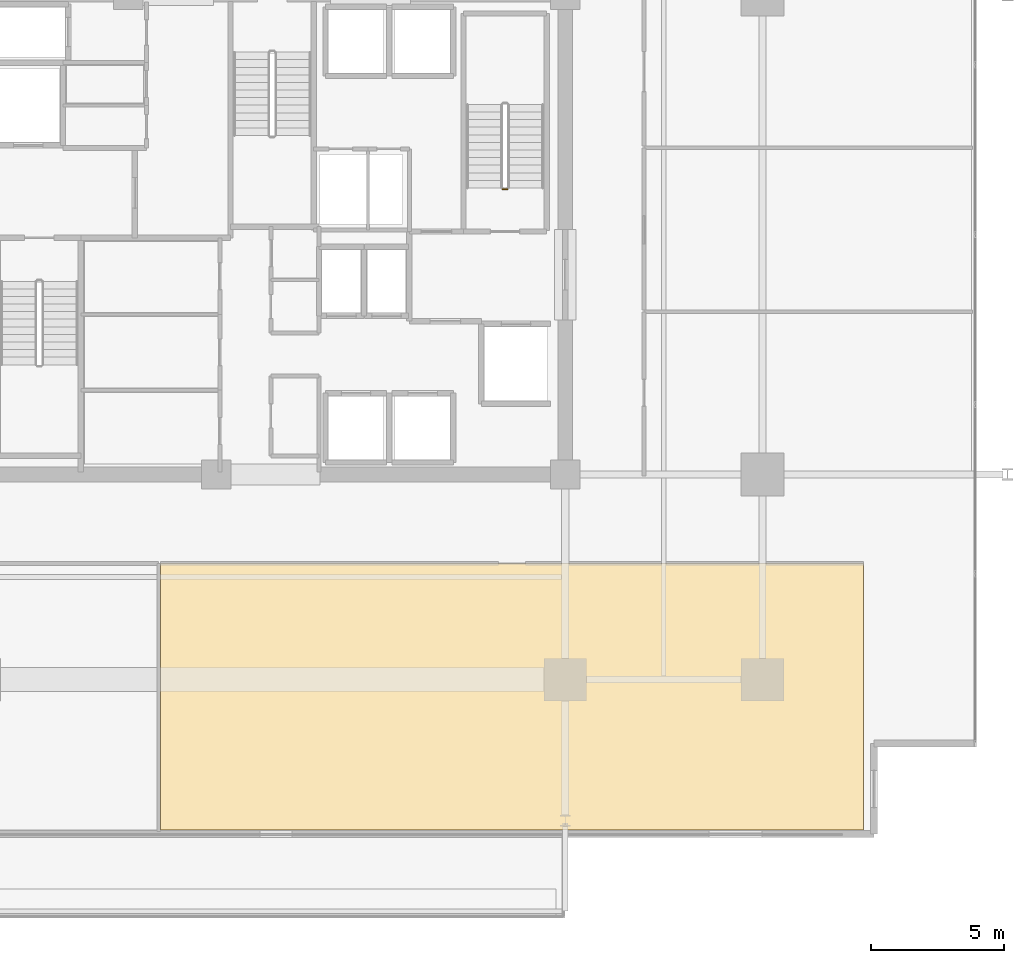
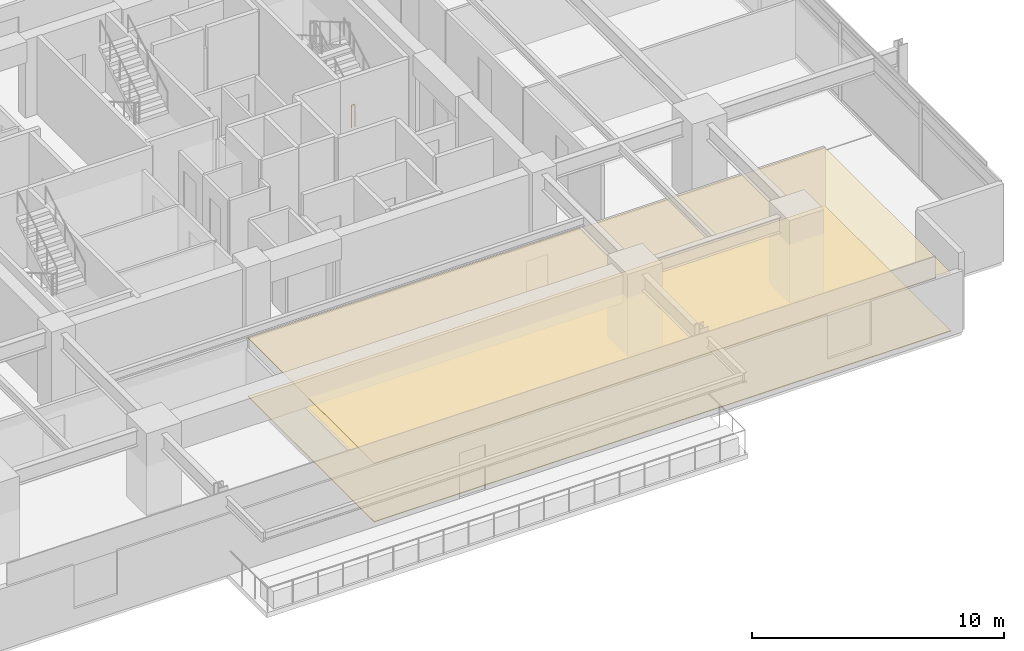
# One storey, part 20 of 23: 2 coverings, 1 railing.
"""IFC4 building model written with IfcOpenShell, lengths in metres."""

from ifc_helpers import new_model, si_unit, direction, frame, origin, origin_2d, place, context, subcontext, project, spatial, polyline, circle, outline, extrude, material, layer, layer_set, type_object, element, save


model = new_model("IFC4")

# Units and contexts
model_context = context("Model", 3, precision=1e-05, world=origin(), true_north=direction((0.0, 1.0)))
body_context = subcontext(model_context, "Body", "Model", "MODEL_VIEW")
ifc_project = project(units=[si_unit("LENGTHUNIT", "METRE"), si_unit("AREAUNIT", "SQUARE_METRE"), si_unit("VOLUMEUNIT", "CUBIC_METRE"), si_unit("PLANEANGLEUNIT", "RADIAN"), si_unit("MASSUNIT", "GRAM", prefix="KILO")], contexts=[model_context])

# Site, building, storey
site_placement = place(None, origin())
site = spatial("IfcSite", under=ifc_project, at=site_placement, CompositionType="ELEMENT")
building_placement = place(site_placement, origin())
building = spatial("IfcBuilding", under=site, at=building_placement, Name="Kovane Verandah Tower", CompositionType="ELEMENT")
storey_placement = place(building_placement, frame((0.0, 0.0, 136.39990234375)))
storey = spatial("IfcBuildingStorey", under=building, at=storey_placement, Name="L31", CompositionType="ELEMENT", Elevation=136.39990234375)

# Coverings
ifc_material_1 = material(Name="Perforated Acoustic Mineral-Fibre Ceiling Tile", Category="gypsum")
ifc_layer_1 = layer(ifc_material_1, 0.02490234375)
ifc_layer_set_1 = layer_set([ifc_layer_1], Name="Perforated Acoustic Mineral-Fibre Ceiling Tile")
covering_type_1 = type_object("IfcCoveringType", Name="CV-CEIL-25", PredefinedType="CEILING", material=ifc_layer_set_1)
covering_1_placement = place(storey_placement, frame((0.0, 0.0, 2.8251953125)))
element("IfcCovering", 1, at=covering_1_placement, inside=storey, type_object=covering_type_1, Name="L31 Collaboration Hub S2 Acoustic Ceiling", PredefinedType="CEILING", context=body_context, shape_type="SweptSolid", body=[
    extrude(outline(polyline([(35.81396484375, 5.1494140625), (62.189697265625, 5.1494140625), (62.189697265625, 15.14990234375), (35.81396484375, 15.14990234375), (35.81396484375, 5.1494140625)])), origin(), (0.0, 0.0, 1.0), 0.02490234375),
])
ifc_material_2 = material(Name="Polished Terrazzo and Raised-Access Carpet Tile Finish", Category="concrete")
ifc_layer_2 = layer(ifc_material_2, 0.030029296875)
ifc_layer_set_2 = layer_set([ifc_layer_2], Name="Polished Terrazzo and Raised-Access Carpet Tile Finish")
covering_type_2 = type_object("IfcCoveringType", Name="CV-FLOR-30", PredefinedType="FLOORING", material=ifc_layer_set_2)
covering_2_placement = place(storey_placement, origin())
element("IfcCovering", 2, at=covering_2_placement, inside=storey, type_object=covering_type_2, Name="L31 Collaboration Hub S2 Floor Finish", PredefinedType="FLOORING", context=body_context, shape_type="SweptSolid", body=[
    extrude(outline(polyline([(35.81396484375, 5.1494140625), (62.189697265625, 5.1494140625), (62.189697265625, 15.14990234375), (35.81396484375, 15.14990234375), (35.81396484375, 5.1494140625)])), origin(), (0.0, 0.0, 1.0), 0.030029296875),
])

# Railing
ifc_material_3 = material(Name="Painted Steel Stairwell Guardrail", Category="steel")
railing_type = type_object("IfcRailingType", Name="RL-STGUARD-1120", PredefinedType="GUARDRAIL", material=ifc_material_3)
railing_placement = place(storey_placement, frame((48.820068359375, 29.199951171875, 0.0)))
element("IfcRailing", 3, at=railing_placement, inside=storey, type_object=railing_type, Name="L31 ST-02 stair guard 4", PredefinedType="GUARDRAIL", context=body_context, shape_type="SweptSolid", body=[
    extrude(circle(Radius=0.02392578125, at=origin_2d()), frame((0.0, 0.0, 1.076171875), z_axis=(-1.0, 0.0, 0.0), x_axis=(0.0, -1.0, 0.0)), (0.0, 0.0, 1.0), 0.16015625),
    extrude(circle(Radius=0.02099609375, at=origin_2d()), origin(), (0.0, 0.0, 1.0), 1.052001953125),
    extrude(circle(Radius=0.02099609375, at=origin_2d()), frame((-0.16015625, 0.0, 0.0)), (0.0, 0.0, 1.0), 1.052001953125),
])

save(model, "model.ifc")
